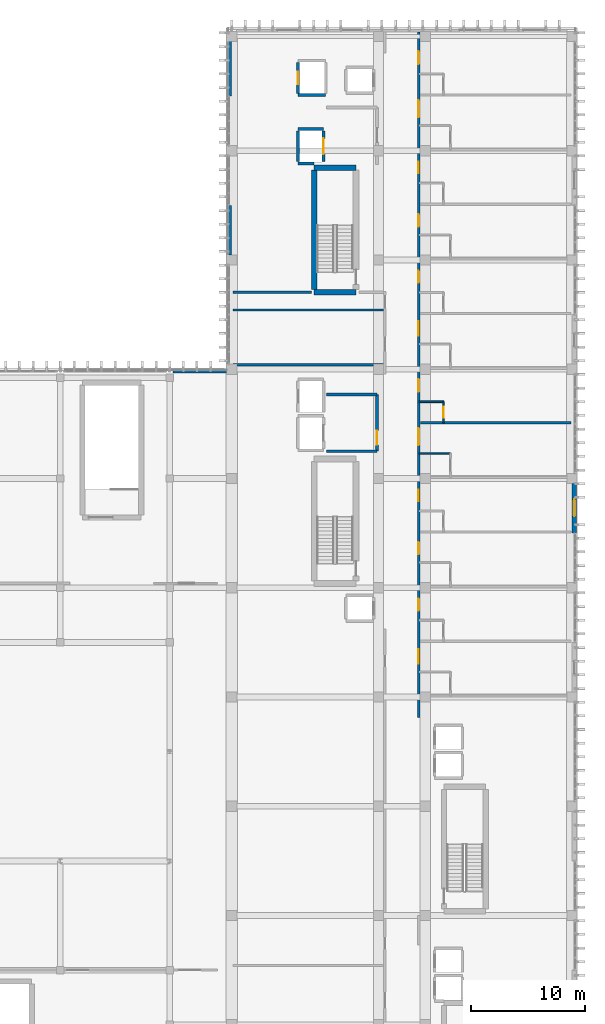
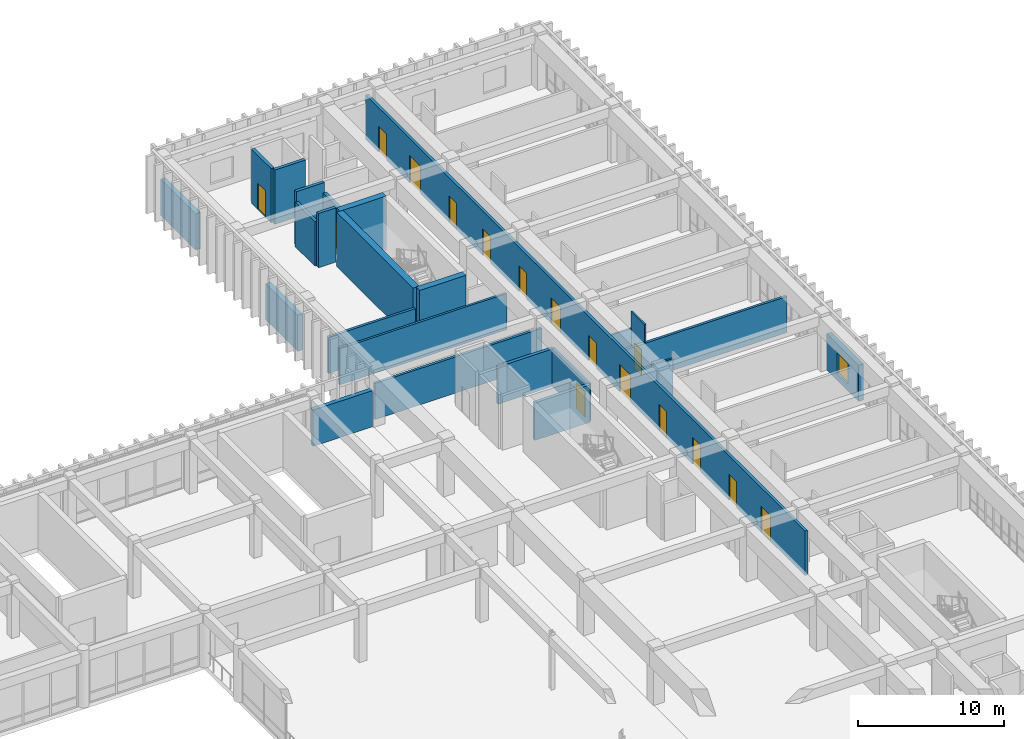
# One storey, part 80 of 101: 24 walls, 16 doors, 1 window, 17 openings.
"""IFC4 building model written with IfcOpenShell, lengths in metres."""

from ifc_helpers import new_model, si_unit, direction, frame, frame_2d, origin, place, context, subcontext, project, spatial, rectangle, extrude, material, layer, layer_set, type_object, element, fill, save


model = new_model("IFC4")

# Units and contexts
model_context = context("Model", 3, precision=1e-05, world=origin(), true_north=direction((0.0, 1.0)))
body_context = subcontext(model_context, "Body", "Model", "MODEL_VIEW")
ifc_project = project(units=[si_unit("LENGTHUNIT", "METRE"), si_unit("AREAUNIT", "SQUARE_METRE"), si_unit("VOLUMEUNIT", "CUBIC_METRE"), si_unit("PLANEANGLEUNIT", "RADIAN"), si_unit("MASSUNIT", "GRAM", prefix="KILO")], contexts=[model_context])

# Site, building, storey
site_placement = place(None, origin())
site = spatial("IfcSite", under=ifc_project, at=site_placement, CompositionType="ELEMENT")
building_placement = place(site_placement, origin())
building = spatial("IfcBuilding", under=site, at=building_placement, Name="Nakhvara Creek Congress Hotel", CompositionType="ELEMENT")
storey_placement = place(building_placement, frame((0.0, 0.0, 16.199951171875)))
storey = spatial("IfcBuildingStorey", under=building, at=storey_placement, Name="L03", CompositionType="ELEMENT", Elevation=16.199951171875)

# Walls
ifc_material_1 = material(Name="Concrete C50/60", Category="concrete")
ifc_layer_1 = layer(ifc_material_1, 0.5)
ifc_layer_set_1 = layer_set([ifc_layer_1], Name="Concrete C50/60")
wall_type_1 = type_object("IfcWallType", Name="W-CORE-500", PredefinedType="SHEAR", material=ifc_layer_set_1)
for number, where, z_axis, x_axis, name in (
    (1, (156.699951171875, 102.780029296875, 0.0), (0.0, 0.0, 1.0), (1.0, 0.0, 0.0), "Core Shear Wall WS01-CWALL-L03-0358"),
    (2, (156.699951171875, 113.719970703125, 0.0), (0.0, 0.0, 1.0), (1.0, 0.0, 0.0), "Core Shear Wall WS01-CWALL-L03-0359"),
):
    element("IfcWall", number, at=place(storey_placement, frame(where, z_axis=z_axis, x_axis=x_axis)), inside=storey, type_object=wall_type_1, Name=name, PredefinedType="SHEAR", context=body_context, shape_type="SweptSolid", body=[
        extrude(rectangle(XDim=3.670166015625, YDim=0.5, at=frame_2d((1.8349609375, 0.0))), origin(), (0.0, 0.0, 1.0), 4.5400390625),
    ])
wall_1_placement = place(storey_placement, frame((156.699951171875, 103.0, 0.0), z_axis=(0.0, 0.0, 1.0), x_axis=(0.0, 1.0, 0.0)))
element("IfcWall", 3, at=wall_1_placement, inside=storey, type_object=wall_type_1, Name="Core Shear Wall WS01-CWALL-L03-0360", PredefinedType="SHEAR", context=body_context, shape_type="SweptSolid", body=[
    extrude(rectangle(XDim=10.5, YDim=0.5, at=frame_2d((5.25, 0.0))), origin(), (0.0, 0.0, 1.0), 4.5400390625),
])

# Wall, openings, doors
ifc_material_2 = material(Name="Gypsum acoustic board on steel stud", Category="steel")
ifc_layer_2 = layer(ifc_material_2, 0.219970703125)
ifc_layer_set_2 = layer_set([ifc_layer_2], Name="Gypsum acoustic board on steel stud")
wall_type_2 = type_object("IfcWallType", Name="W-CORR-220", PredefinedType="PARTITIONING", material=ifc_layer_set_2)
wall_2_placement = place(storey_placement, frame((165.8798828125, 65.39990234375, 0.0), z_axis=(0.0, 0.0, 1.0), x_axis=(0.0, 1.0, 0.0)))
wall_2 = element("IfcWall", 4, at=wall_2_placement, inside=storey, type_object=wall_type_2, Name="Interior Wall WP11-IW-L03-0214", PredefinedType="PARTITIONING", context=body_context, shape_type="SweptSolid", body=[
    extrude(rectangle(XDim=60.25, YDim=0.219970703125, at=frame_2d((30.125, 0.0))), origin(), (0.0, 0.0, 1.0), 3.73193359375),
])
opening_1_placement = place(wall_2_placement, frame((4.738037109375, 0.0, 0.0)))
opening_1 = element("IfcOpeningElement", 5, at=opening_1_placement, cuts=wall_2, Name="Opening ID07", PredefinedType="OPENING", context=body_context, shape_type="SweptSolid", body=[
    extrude(rectangle(XDim=1.280029296875, YDim=2.159912109375, at=frame_2d((0.64013671875, 1.080078125))), frame((0.0, 0.1220703125, 0.0), z_axis=(0.0, -1.0, 0.0), x_axis=(1.0, 0.0, 0.0)), (0.0, 0.0, 1.0), 0.243896484375),
])
opening_2_placement = place(wall_2_placement, frame((9.405029296875, 0.0, 0.0)))
opening_2 = element("IfcOpeningElement", 6, at=opening_2_placement, cuts=wall_2, Name="Opening ID04", PredefinedType="OPENING", context=body_context, shape_type="SweptSolid", body=[
    extrude(rectangle(XDim=1.050048828125, YDim=2.179931640625, at=frame_2d((0.52490234375, 1.08984375))), frame((0.0, 0.1220703125, 0.0), z_axis=(0.0, -1.0, 0.0), x_axis=(1.0, 0.0, 0.0)), (0.0, 0.0, 1.0), 0.243896484375),
])
opening_3_placement = place(wall_2_placement, frame((14.337890625, 0.0, 0.0)))
opening_3 = element("IfcOpeningElement", 7, at=opening_3_placement, cuts=wall_2, Name="Opening GD02", PredefinedType="OPENING", context=body_context, shape_type="SweptSolid", body=[
    extrude(rectangle(XDim=1.080078125, YDim=2.25, at=frame_2d((0.5400390625, 1.125))), frame((0.0, 0.1220703125, 0.0), z_axis=(0.0, -1.0, 0.0), x_axis=(1.0, 0.0, 0.0)), (0.0, 0.0, 1.0), 0.243896484375),
])
opening_4_placement = place(wall_2_placement, frame((19.0048828125, 0.0, 0.0)))
opening_4 = element("IfcOpeningElement", 8, at=opening_4_placement, cuts=wall_2, Name="Opening GD01", PredefinedType="OPENING", context=body_context, shape_type="SweptSolid", body=[
    extrude(rectangle(XDim=1.02001953125, YDim=2.199951171875, at=frame_2d((0.510009765625, 1.10009765625))), frame((0.0, 0.1220703125, 0.0), z_axis=(0.0, -1.0, 0.0), x_axis=(1.0, 0.0, 0.0)), (0.0, 0.0, 1.0), 0.243896484375),
])
opening_5_placement = place(wall_2_placement, frame((23.93798828125, 0.0, 0.0)))
opening_5 = element("IfcOpeningElement", 9, at=opening_5_placement, cuts=wall_2, Name="Opening GD03", PredefinedType="OPENING", context=body_context, shape_type="SweptSolid", body=[
    extrude(rectangle(XDim=1.5, YDim=2.300048828125, at=frame_2d((0.75, 1.14990234375))), frame((0.0, 0.1220703125, 0.0), z_axis=(0.0, -1.0, 0.0), x_axis=(1.0, 0.0, 0.0)), (0.0, 0.0, 1.0), 0.243896484375),
])
opening_6_placement = place(wall_2_placement, frame((28.60498046875, 0.0, 0.0)))
opening_6 = element("IfcOpeningElement", 10, at=opening_6_placement, cuts=wall_2, Name="Opening BD01", PredefinedType="OPENING", context=body_context, shape_type="SweptSolid", body=[
    extrude(rectangle(XDim=1.1201171875, YDim=2.14990234375, at=frame_2d((0.56005859375, 1.074951171875))), frame((0.0, 0.1220703125, 0.0), z_axis=(0.0, -1.0, 0.0), x_axis=(1.0, 0.0, 0.0)), (0.0, 0.0, 1.0), 0.243896484375),
])
opening_7_placement = place(wall_2_placement, frame((33.5380859375, 0.0, 0.0)))
opening_7 = element("IfcOpeningElement", 11, at=opening_7_placement, cuts=wall_2, Name="Opening ID07", PredefinedType="OPENING", context=body_context, shape_type="SweptSolid", body=[
    extrude(rectangle(XDim=1.280029296875, YDim=2.159912109375, at=frame_2d((0.64013671875, 1.080078125))), frame((0.0, 0.1220703125, 0.0), z_axis=(0.0, -1.0, 0.0), x_axis=(1.0, 0.0, 0.0)), (0.0, 0.0, 1.0), 0.243896484375),
])
opening_8_placement = place(wall_2_placement, frame((38.205078125, 0.0, 0.0)))
opening_8 = element("IfcOpeningElement", 12, at=opening_8_placement, cuts=wall_2, Name="Opening ID04", PredefinedType="OPENING", context=body_context, shape_type="SweptSolid", body=[
    extrude(rectangle(XDim=1.050048828125, YDim=2.179931640625, at=frame_2d((0.52490234375, 1.08984375))), frame((0.0, 0.1220703125, 0.0), z_axis=(0.0, -1.0, 0.0), x_axis=(1.0, 0.0, 0.0)), (0.0, 0.0, 1.0), 0.243896484375),
])
opening_9_placement = place(wall_2_placement, frame((43.137939453125, 0.0, 0.0)))
opening_9 = element("IfcOpeningElement", 13, at=opening_9_placement, cuts=wall_2, Name="Opening GD02", PredefinedType="OPENING", context=body_context, shape_type="SweptSolid", body=[
    extrude(rectangle(XDim=1.080078125, YDim=2.25, at=frame_2d((0.5400390625, 1.125))), frame((0.0, 0.1220703125, 0.0), z_axis=(0.0, -1.0, 0.0), x_axis=(1.0, 0.0, 0.0)), (0.0, 0.0, 1.0), 0.243896484375),
])
opening_10_placement = place(wall_2_placement, frame((47.804931640625, 0.0, 0.0)))
opening_10 = element("IfcOpeningElement", 14, at=opening_10_placement, cuts=wall_2, Name="Opening GD01", PredefinedType="OPENING", context=body_context, shape_type="SweptSolid", body=[
    extrude(rectangle(XDim=1.02001953125, YDim=2.199951171875, at=frame_2d((0.510009765625, 1.10009765625))), frame((0.0, 0.1220703125, 0.0), z_axis=(0.0, -1.0, 0.0), x_axis=(1.0, 0.0, 0.0)), (0.0, 0.0, 1.0), 0.243896484375),
])
opening_11_placement = place(wall_2_placement, frame((52.738037109375, 0.0, 0.0)))
opening_11 = element("IfcOpeningElement", 15, at=opening_11_placement, cuts=wall_2, Name="Opening GD03", PredefinedType="OPENING", context=body_context, shape_type="SweptSolid", body=[
    extrude(rectangle(XDim=1.5, YDim=2.300048828125, at=frame_2d((0.75, 1.14990234375))), frame((0.0, 0.1220703125, 0.0), z_axis=(0.0, -1.0, 0.0), x_axis=(1.0, 0.0, 0.0)), (0.0, 0.0, 1.0), 0.243896484375),
])
opening_12_placement = place(wall_2_placement, frame((57.405029296875, 0.0, 0.0)))
opening_12 = element("IfcOpeningElement", 16, at=opening_12_placement, cuts=wall_2, Name="Opening BD01", PredefinedType="OPENING", context=body_context, shape_type="SweptSolid", body=[
    extrude(rectangle(XDim=1.1201171875, YDim=2.14990234375, at=frame_2d((0.56005859375, 1.074951171875))), frame((0.0, 0.1220703125, 0.0), z_axis=(0.0, -1.0, 0.0), x_axis=(1.0, 0.0, 0.0)), (0.0, 0.0, 1.0), 0.243896484375),
])
ifc_material_3 = material(Name="Brushed stainless-clad BOH door")
door_type_1 = type_object("IfcDoorType", Name="DT-BOH-128", OperationType="NOTDEFINED", PredefinedType="DOOR", material=ifc_material_3)
door_1_placement = place(opening_1_placement, origin())
door_1 = element("IfcDoor", 17, at=door_1_placement, inside=storey, type_object=door_type_1, Name="Interior Door ID07-0228", OperationType="SINGLE_SWING_LEFT", OverallHeight=2.159912109375, OverallWidth=1.280029296875, PredefinedType="DOOR", context=body_context, shape_type="SweptSolid", body=[
    extrude(rectangle(XDim=1.280029296875, YDim=2.159912109375, at=frame_2d((0.64013671875, 1.080078125))), frame((0.0, 0.02490234375, 0.0), z_axis=(0.0, -1.0, 0.0), x_axis=(1.0, 0.0, 0.0)), (0.0, 0.0, 1.0), 0.050048828125),
])
fill(opening_1, door_1)
door_2_placement = place(opening_7_placement, origin())
door_2 = element("IfcDoor", 18, at=door_2_placement, inside=storey, type_object=door_type_1, Name="Interior Door ID07-0240", OperationType="SINGLE_SWING_LEFT", OverallHeight=2.159912109375, OverallWidth=1.280029296875, PredefinedType="DOOR", context=body_context, shape_type="SweptSolid", body=[
    extrude(rectangle(XDim=1.280029296875, YDim=2.159912109375, at=frame_2d((0.64013671875, 1.080078125))), frame((0.0, 0.02490234375, 0.0), z_axis=(0.0, -1.0, 0.0), x_axis=(1.0, 0.0, 0.0)), (0.0, 0.0, 1.0), 0.050048828125),
])
fill(opening_7, door_2)
ifc_material_4 = material(Name="Walnut hardwood timber fire door", Category="wood")
door_type_2 = type_object("IfcDoorType", Name="DT-GUEST-102", OperationType="NOTDEFINED", PredefinedType="DOOR", material=ifc_material_4)
door_3_placement = place(opening_4_placement, origin())
door_3 = element("IfcDoor", 19, at=door_3_placement, inside=storey, type_object=door_type_2, Name="Interior Door GD01-0234", OperationType="SINGLE_SWING_LEFT", OverallHeight=2.199951171875, OverallWidth=1.02001953125, PredefinedType="DOOR", context=body_context, shape_type="SweptSolid", body=[
    extrude(rectangle(XDim=1.02001953125, YDim=2.199951171875, at=frame_2d((0.510009765625, 1.10009765625))), frame((0.0, 0.02490234375, 0.0), z_axis=(0.0, -1.0, 0.0), x_axis=(1.0, 0.0, 0.0)), (0.0, 0.0, 1.0), 0.050048828125),
])
fill(opening_4, door_3)
door_4_placement = place(opening_10_placement, origin())
door_4 = element("IfcDoor", 20, at=door_4_placement, inside=storey, type_object=door_type_2, Name="Interior Door GD01-0246", OperationType="SINGLE_SWING_LEFT", OverallHeight=2.199951171875, OverallWidth=1.02001953125, PredefinedType="DOOR", context=body_context, shape_type="SweptSolid", body=[
    extrude(rectangle(XDim=1.02001953125, YDim=2.199951171875, at=frame_2d((0.510009765625, 1.10009765625))), frame((0.0, 0.02490234375, 0.0), z_axis=(0.0, -1.0, 0.0), x_axis=(1.0, 0.0, 0.0)), (0.0, 0.0, 1.0), 0.050048828125),
])
fill(opening_10, door_4)
door_type_3 = type_object("IfcDoorType", Name="DT-GUEST-108", OperationType="NOTDEFINED", PredefinedType="DOOR", material=ifc_material_4)
door_5_placement = place(opening_3_placement, origin())
door_5 = element("IfcDoor", 21, at=door_5_placement, inside=storey, type_object=door_type_3, Name="Interior Door GD02-0232", OperationType="SINGLE_SWING_LEFT", OverallHeight=2.25, OverallWidth=1.080078125, PredefinedType="DOOR", context=body_context, shape_type="SweptSolid", body=[
    extrude(rectangle(XDim=1.080078125, YDim=2.25, at=frame_2d((0.5400390625, 1.125))), frame((0.0, 0.02490234375, 0.0), z_axis=(0.0, -1.0, 0.0), x_axis=(1.0, 0.0, 0.0)), (0.0, 0.0, 1.0), 0.050048828125),
])
fill(opening_3, door_5)
door_6_placement = place(opening_9_placement, origin())
door_6 = element("IfcDoor", 22, at=door_6_placement, inside=storey, type_object=door_type_3, Name="Interior Door GD02-0244", OperationType="SINGLE_SWING_LEFT", OverallHeight=2.25, OverallWidth=1.080078125, PredefinedType="DOOR", context=body_context, shape_type="SweptSolid", body=[
    extrude(rectangle(XDim=1.080078125, YDim=2.25, at=frame_2d((0.5400390625, 1.125))), frame((0.0, 0.02490234375, 0.0), z_axis=(0.0, -1.0, 0.0), x_axis=(1.0, 0.0, 0.0)), (0.0, 0.0, 1.0), 0.050048828125),
])
fill(opening_9, door_6)
ifc_material_5 = material(Name="Hardwood-faced service fire door", Category="wood")
door_type_4 = type_object("IfcDoorType", Name="DT-HK-112", OperationType="NOTDEFINED", PredefinedType="DOOR", material=ifc_material_5)
door_7_placement = place(opening_6_placement, origin())
door_7 = element("IfcDoor", 23, at=door_7_placement, inside=storey, type_object=door_type_4, Name="Interior Door BD01-0238", OperationType="SINGLE_SWING_LEFT", OverallHeight=2.14990234375, OverallWidth=1.1201171875, PredefinedType="DOOR", context=body_context, shape_type="SweptSolid", body=[
    extrude(rectangle(XDim=1.1201171875, YDim=2.14990234375, at=frame_2d((0.56005859375, 1.074951171875))), frame((0.0, 0.02490234375, 0.0), z_axis=(0.0, -1.0, 0.0), x_axis=(1.0, 0.0, 0.0)), (0.0, 0.0, 1.0), 0.050048828125),
])
fill(opening_6, door_7)
door_8_placement = place(opening_12_placement, origin())
door_8 = element("IfcDoor", 24, at=door_8_placement, inside=storey, type_object=door_type_4, Name="Interior Door BD01-0250", OperationType="SINGLE_SWING_LEFT", OverallHeight=2.14990234375, OverallWidth=1.1201171875, PredefinedType="DOOR", context=body_context, shape_type="SweptSolid", body=[
    extrude(rectangle(XDim=1.1201171875, YDim=2.14990234375, at=frame_2d((0.56005859375, 1.074951171875))), frame((0.0, 0.02490234375, 0.0), z_axis=(0.0, -1.0, 0.0), x_axis=(1.0, 0.0, 0.0)), (0.0, 0.0, 1.0), 0.050048828125),
])
fill(opening_12, door_8)
ifc_material_6 = material(Name="Teak timber & frosted glass spa door", Category="wood")
door_type_5 = type_object("IfcDoorType", Name="DT-SPA-105", OperationType="NOTDEFINED", PredefinedType="DOOR", material=ifc_material_6)
door_9_placement = place(opening_2_placement, origin())
door_9 = element("IfcDoor", 25, at=door_9_placement, inside=storey, type_object=door_type_5, Name="Interior Door ID04-0230", OperationType="SINGLE_SWING_LEFT", OverallHeight=2.179931640625, OverallWidth=1.050048828125, PredefinedType="DOOR", context=body_context, shape_type="SweptSolid", body=[
    extrude(rectangle(XDim=1.050048828125, YDim=2.179931640625, at=frame_2d((0.52490234375, 1.08984375))), frame((0.0, 0.02490234375, 0.0), z_axis=(0.0, -1.0, 0.0), x_axis=(1.0, 0.0, 0.0)), (0.0, 0.0, 1.0), 0.050048828125),
])
fill(opening_2, door_9)
door_10_placement = place(opening_8_placement, origin())
door_10 = element("IfcDoor", 26, at=door_10_placement, inside=storey, type_object=door_type_5, Name="Interior Door ID04-0242", OperationType="SINGLE_SWING_LEFT", OverallHeight=2.179931640625, OverallWidth=1.050048828125, PredefinedType="DOOR", context=body_context, shape_type="SweptSolid", body=[
    extrude(rectangle(XDim=1.050048828125, YDim=2.179931640625, at=frame_2d((0.52490234375, 1.08984375))), frame((0.0, 0.02490234375, 0.0), z_axis=(0.0, -1.0, 0.0), x_axis=(1.0, 0.0, 0.0)), (0.0, 0.0, 1.0), 0.050048828125),
])
fill(opening_8, door_10)
ifc_material_7 = material(Name="Walnut hardwood double fire door", Category="wood")
door_type_6 = type_object("IfcDoorType", Name="DT-SUITE-150", OperationType="DOUBLE_DOOR_SINGLE_SWING", PredefinedType="DOOR", material=ifc_material_7)
door_11_placement = place(opening_5_placement, origin())
door_11 = element("IfcDoor", 27, at=door_11_placement, inside=storey, type_object=door_type_6, Name="Interior Door GD03-0236", OperationType="DOUBLE_DOOR_SINGLE_SWING", OverallHeight=2.300048828125, OverallWidth=1.5, PredefinedType="DOOR", context=body_context, shape_type="SweptSolid", body=[
    extrude(rectangle(XDim=1.5, YDim=2.300048828125, at=frame_2d((0.75, 1.14990234375))), frame((0.0, 0.02490234375, 0.0), z_axis=(0.0, -1.0, 0.0), x_axis=(1.0, 0.0, 0.0)), (0.0, 0.0, 1.0), 0.050048828125),
])
fill(opening_5, door_11)
door_12_placement = place(opening_11_placement, origin())
door_12 = element("IfcDoor", 28, at=door_12_placement, inside=storey, type_object=door_type_6, Name="Interior Door GD03-0248", OperationType="DOUBLE_DOOR_SINGLE_SWING", OverallHeight=2.300048828125, OverallWidth=1.5, PredefinedType="DOOR", context=body_context, shape_type="SweptSolid", body=[
    extrude(rectangle(XDim=1.5, YDim=2.300048828125, at=frame_2d((0.75, 1.14990234375))), frame((0.0, 0.02490234375, 0.0), z_axis=(0.0, -1.0, 0.0), x_axis=(1.0, 0.0, 0.0)), (0.0, 0.0, 1.0), 0.050048828125),
])
fill(opening_11, door_12)

# Wall
ifc_material_8 = material(Name="Moisture-resistant gypsum board partition")
ifc_layer_3 = layer(ifc_material_8, 0.139892578125)
ifc_layer_set_3 = layer_set([ifc_layer_3], Name="Moisture-resistant gypsum board partition")
wall_type_3 = type_object("IfcWallType", Name="W-ENS-140", PredefinedType="PARTITIONING", material=ifc_layer_set_3)
wall_3_placement = place(storey_placement, frame((165.919921875, 88.615966796875, 0.0), z_axis=(0.0, 0.0, 1.0), x_axis=(1.0, 0.0, 0.0)))
element("IfcWall", 29, at=wall_3_placement, inside=storey, type_object=wall_type_3, Name="Interior Wall WP15-IW-L03-0263", PredefinedType="PARTITIONING", context=body_context, shape_type="SweptSolid", body=[
    extrude(rectangle(XDim=2.75, YDim=0.139892578125, at=frame_2d((1.375, 0.0))), origin(), (0.0, 0.0, 1.0), 3.132080078125),
])

# Wall, opening, door
wall_4_placement = place(storey_placement, frame((168.070068359375, 91.300048828125, 0.0), z_axis=(0.0, 0.0, 1.0), x_axis=(0.0, 1.0, 0.0)))
wall_4 = element("IfcWall", 30, at=wall_4_placement, inside=storey, type_object=wall_type_3, Name="Interior Wall WP15-IW-L03-0265", PredefinedType="PARTITIONING", context=body_context, shape_type="SweptSolid", body=[
    extrude(rectangle(XDim=1.849853515625, YDim=0.139892578125, at=frame_2d((0.9248046875, 0.0))), origin(), (0.0, 0.0, 1.0), 4.5400390625),
])
opening_13_placement = place(wall_4_placement, frame((0.449951171875, 0.0, 0.0)))
opening_13 = element("IfcOpeningElement", 31, at=opening_13_placement, cuts=wall_4, Name="Opening ID02", PredefinedType="OPENING", context=body_context, shape_type="SweptSolid", body=[
    extrude(rectangle(XDim=0.9599609375, YDim=2.1201171875, at=frame_2d((0.47998046875, 1.06005859375))), frame((0.0, 0.08203125, 0.0), z_axis=(0.0, -1.0, 0.0), x_axis=(1.0, 0.0, 0.0)), (0.0, 0.0, 1.0), 0.163818359375),
])
ifc_material_9 = material(Name="Moisture-resistant walnut timber door", Category="wood")
door_type_7 = type_object("IfcDoorType", Name="DT-ENS-096", OperationType="NOTDEFINED", PredefinedType="DOOR", material=ifc_material_9)
door_13_placement = place(opening_13_placement, frame((0.9599609375, 0.0, 0.0), z_axis=(0.0, 0.0, 1.0), x_axis=(-1.0, 0.0, 0.0)))
door_13 = element("IfcDoor", 32, at=door_13_placement, inside=storey, type_object=door_type_7, Name="Interior Door ID02-0239", OperationType="SINGLE_SWING_RIGHT", OverallHeight=2.1201171875, OverallWidth=0.9599609375, PredefinedType="DOOR", context=body_context, shape_type="SweptSolid", body=[
    extrude(rectangle(XDim=0.9599609375, YDim=2.1201171875, at=frame_2d((0.47998046875, 1.06005859375))), frame((0.0, 0.02490234375, 0.0), z_axis=(0.0, -1.0, 0.0), x_axis=(1.0, 0.0, 0.0)), (0.0, 0.0, 1.0), 0.050048828125),
])
fill(opening_13, door_13)

# Walls
wall_5_placement = place(storey_placement, frame((165.919921875, 93.14990234375, 0.0), z_axis=(0.0, 0.0, 1.0), x_axis=(1.0, 0.0, 0.0)))
element("IfcWall", 33, at=wall_5_placement, inside=storey, type_object=wall_type_3, Name="Interior Wall WP15-IW-L03-0266", PredefinedType="PARTITIONING", context=body_context, shape_type="SweptSolid", body=[
    extrude(rectangle(XDim=2.150146484375, YDim=0.139892578125, at=frame_2d((1.0751953125, 0.0))), origin(), (0.0, 0.0, 1.0), 3.132080078125),
])
ifc_material_10 = material(Name="Architectural GRC panel")
ifc_layer_4 = layer(ifc_material_10, 0.0400390625)
ifc_material_11 = material(Name="Mineral wool thermal insulation")
ifc_layer_5 = layer(ifc_material_11, 0.10009765625)
ifc_material_12 = material(Name="Precast concrete C40/50", Category="concrete")
ifc_layer_6 = layer(ifc_material_12, 0.199951171875)
ifc_layer_set_4 = layer_set([ifc_layer_4, ifc_layer_5, ifc_layer_6], Name="Precast concrete C40/50")
wall_type_4 = type_object("IfcWallType", Name="W-EXT-340", PredefinedType="SOLIDWALL", material=ifc_layer_set_4)
wall_6_placement = place(storey_placement, frame((144.300048828125, 95.830078125, 0.0), z_axis=(0.0, 0.0, 1.0), x_axis=(1.0, 0.0, 0.0)))
element("IfcWall", 34, at=wall_6_placement, inside=storey, type_object=wall_type_4, Name="Exterior Wall WE04-EW-L03-0091", PredefinedType="SOLIDWALL", context=body_context, shape_type="SweptSolid", body=[
    extrude(rectangle(XDim=4.724853515625, YDim=0.340087890625, at=frame_2d((2.3623046875, 0.0))), origin(), (0.0, 0.0, 1.0), 3.031982421875),
])

# Wall, opening, window
ifc_material_13 = material(Name="Honed pale Omani limestone cladding", Category="masonry")
ifc_layer_7 = layer(ifc_material_13, 0.050048828125)
ifc_layer_8 = layer(ifc_material_11, 0.110107421875)
ifc_layer_9 = layer(ifc_material_12, 0.219970703125)
ifc_layer_set_5 = layer_set([ifc_layer_7, ifc_layer_8, ifc_layer_9], Name="Precast concrete C40/50")
wall_type_5 = type_object("IfcWallType", Name="W-EXT-380", PredefinedType="SOLIDWALL", material=ifc_layer_set_5)
wall_7_placement = place(storey_placement, frame((179.56005859375, 85.97509765625, 0.0), z_axis=(0.0, 0.0, 1.0), x_axis=(0.0, -1.0, 0.0)))
wall_7 = element("IfcWall", 35, at=wall_7_placement, inside=storey, type_object=wall_type_5, Name="Exterior Wall WE03-EW-L03-0126", PredefinedType="SOLIDWALL", context=body_context, shape_type="SweptSolid", body=[
    extrude(rectangle(XDim=4.375, YDim=0.3798828125, at=frame_2d((2.1875, 0.0))), origin(), (0.0, 0.0, 1.0), 3.031982421875),
])
opening_14_placement = place(wall_7_placement, frame((1.402587890625, 0.0, 0.550048828125)))
opening_14 = element("IfcOpeningElement", 36, at=opening_14_placement, cuts=wall_7, Name="Opening WN0136", PredefinedType="OPENING", context=body_context, shape_type="SweptSolid", body=[
    extrude(rectangle(XDim=1.5, YDim=1.739990234375, at=frame_2d((0.75, 0.8701171875))), frame((0.0, 0.201904296875, 0.0), z_axis=(0.0, -1.0, 0.0), x_axis=(1.0, 0.0, 0.0)), (0.0, 0.0, 1.0), 0.40380859375),
])
ifc_material_14 = material(Name="Thermally broken bronze-anodised aluminium and double-silver low-E insulated glass", Category="aluminium")
window_type = type_object("IfcWindowType", Name="WN-LAN-150X220", PartitioningType="SINGLE_PANEL", PredefinedType="WINDOW", material=ifc_material_14)
window_placement = place(opening_14_placement, origin())
window = element("IfcWindow", 37, at=window_placement, inside=storey, type_object=window_type, Name="Facade Window WN0136", OverallHeight=1.739990234375, OverallWidth=1.5, PartitioningType="SINGLE_PANEL", PredefinedType="WINDOW", context=body_context, shape_type="SweptSolid", body=[
    extrude(rectangle(XDim=1.5, YDim=1.739990234375, at=frame_2d((0.75, 0.8701171875))), frame((0.0, 0.030029296875, 0.0), z_axis=(0.0, -1.0, 0.0), x_axis=(1.0, 0.0, 0.0)), (0.0, 0.0, 1.0), 0.06005859375),
])
fill(opening_14, window)

# Walls
wall_8_placement = place(storey_placement, frame((149.239990234375, 106.02490234375, 0.0), z_axis=(0.0, 0.0, 1.0), x_axis=(0.0, 1.0, 0.0)))
element("IfcWall", 38, at=wall_8_placement, inside=storey, type_object=wall_type_5, Name="Exterior Wall WE03-EW-L03-0128", PredefinedType="SOLIDWALL", context=body_context, shape_type="SweptSolid", body=[
    extrude(rectangle(XDim=4.375, YDim=0.3798828125, at=frame_2d((2.1875, 0.0))), origin(), (0.0, 0.0, 1.0), 3.031982421875),
])
wall_9_placement = place(storey_placement, frame((149.239990234375, 120.0, 0.0), z_axis=(0.0, 0.0, 1.0), x_axis=(0.0, 1.0, 0.0)))
element("IfcWall", 39, at=wall_9_placement, inside=storey, type_object=wall_type_5, Name="Exterior Wall WE03-EW-L03-0130", PredefinedType="SOLIDWALL", context=body_context, shape_type="SweptSolid", body=[
    extrude(rectangle(XDim=4.824951171875, YDim=0.3798828125, at=frame_2d((2.41259765625, 0.0))), origin(), (0.0, 0.0, 1.0), 3.031982421875),
])

# Wall, opening, door
ifc_material_15 = material(Name="Concrete C40/50", Category="concrete")
ifc_layer_10 = layer(ifc_material_15, 0.260009765625)
ifc_layer_set_6 = layer_set([ifc_layer_10], Name="Concrete C40/50")
wall_type_6 = type_object("IfcWallType", Name="W-FFL-260", PredefinedType="SOLIDWALL", material=ifc_layer_set_6)
wall_10_placement = place(storey_placement, frame((162.199951171875, 88.800048828125, 0.0), z_axis=(0.0, 0.0, 1.0), x_axis=(0.0, 1.0, 0.0)))
wall_10 = element("IfcWall", 40, at=wall_10_placement, inside=storey, type_object=wall_type_6, Name="Core Shear Wall WI03-CWALL-L03-0106", PredefinedType="SOLIDWALL", context=body_context, shape_type="SweptSolid", body=[
    extrude(rectangle(XDim=5.0, YDim=0.260009765625, at=frame_2d((2.5, 0.0))), origin(), (0.0, 0.0, 1.0), 3.132080078125),
])
opening_15_placement = place(wall_10_placement, frame((0.550048828125, 0.0, 0.0)))
opening_15 = element("IfcOpeningElement", 41, at=opening_15_placement, cuts=wall_10, Name="Opening FD05", PredefinedType="OPENING", context=body_context, shape_type="SweptSolid", body=[
    extrude(rectangle(XDim=1.25, YDim=2.14990234375, at=frame_2d((0.625, 1.074951171875))), frame((0.0, 0.14208984375, 0.0), z_axis=(0.0, -1.0, 0.0), x_axis=(1.0, 0.0, 0.0)), (0.0, 0.0, 1.0), 0.283935546875),
])
ifc_material_16 = material(Name="Hardwood-veneered steel fire door", Category="steel")
door_type_8 = type_object("IfcDoorType", Name="DT-FFL-125", OperationType="NOTDEFINED", PredefinedType="DOOR", material=ifc_material_16)
door_14_placement = place(opening_15_placement, origin())
door_14 = element("IfcDoor", 42, at=door_14_placement, inside=storey, type_object=door_type_8, Name="Firefighting Lobby Door C1-L03", OperationType="DOUBLE_DOOR_SINGLE_SWING", OverallHeight=2.14990234375, OverallWidth=1.25, PredefinedType="DOOR", context=body_context, shape_type="SweptSolid", body=[
    extrude(rectangle(XDim=1.25, YDim=2.14990234375, at=frame_2d((0.625, 1.074951171875))), frame((0.0, 0.02490234375, 0.0), z_axis=(0.0, -1.0, 0.0), x_axis=(1.0, 0.0, 0.0)), (0.0, 0.0, 1.0), 0.050048828125),
])
fill(opening_15, door_14)

# Walls
for number, where, z_axis, x_axis, name in (
    (43, (157.800048828125, 88.800048828125, 0.0), (0.0, 0.0, 1.0), (1.0, 0.0, 0.0), "Core Shear Wall WI03-CWALL-L03-0107"),
    (44, (157.800048828125, 93.800048828125, 0.0), (0.0, 0.0, 1.0), (1.0, 0.0, 0.0), "Core Shear Wall WI03-CWALL-L03-0108"),
):
    element("IfcWall", number, at=place(storey_placement, frame(where, z_axis=z_axis, x_axis=x_axis)), inside=storey, type_object=wall_type_6, Name=name, PredefinedType="SOLIDWALL", context=body_context, shape_type="SweptSolid", body=[
        extrude(rectangle(XDim=4.39990234375, YDim=0.260009765625, at=frame_2d((2.199951171875, 0.0))), origin(), (0.0, 0.0, 1.0), 3.132080078125),
    ])
ifc_layer_11 = layer(ifc_material_2, 0.179931640625)
ifc_layer_set_7 = layer_set([ifc_layer_11], Name="Gypsum acoustic board on steel stud")
wall_type_7 = type_object("IfcWallType", Name="W-MEET-180", PredefinedType="PARTITIONING", material=ifc_layer_set_7)
wall_11_placement = place(storey_placement, frame((149.550048828125, 101.199951171875, 0.0), z_axis=(0.0, 0.0, 1.0), x_axis=(1.0, 0.0, 0.0)))
element("IfcWall", 45, at=wall_11_placement, inside=storey, type_object=wall_type_7, Name="Interior Wall WP13-IW-L03-0230", PredefinedType="PARTITIONING", context=body_context, shape_type="SweptSolid", body=[
    extrude(rectangle(XDim=13.22998046875, YDim=0.179931640625, at=frame_2d((6.614990234375, 0.0))), origin(), (0.0, 0.0, 1.0), 3.031982421875),
])
ifc_layer_12 = layer(ifc_material_2, 0.199951171875)
ifc_layer_set_8 = layer_set([ifc_layer_12], Name="Gypsum acoustic board on steel stud")
wall_type_8 = type_object("IfcWallType", Name="W-PART-200", PredefinedType="PARTITIONING", material=ifc_layer_set_8)
wall_12_placement = place(storey_placement, frame((149.550048828125, 96.39990234375, 0.0), z_axis=(0.0, 0.0, 1.0), x_axis=(1.0, 0.0, 0.0)))
element("IfcWall", 46, at=wall_12_placement, inside=storey, type_object=wall_type_8, Name="Interior Wall WP12-IW-L03-0229", PredefinedType="PARTITIONING", context=body_context, shape_type="SweptSolid", body=[
    extrude(rectangle(XDim=13.22998046875, YDim=0.199951171875, at=frame_2d((6.614990234375, 0.0))), origin(), (0.0, 0.0, 1.0), 3.031982421875),
])
wall_13_placement = place(storey_placement, frame((149.550048828125, 102.780029296875, 0.0), z_axis=(0.0, 0.0, 1.0), x_axis=(1.0, 0.0, 0.0)))
element("IfcWall", 47, at=wall_13_placement, inside=storey, type_object=wall_type_8, Name="Interior Wall WP12-IW-L03-0231", PredefinedType="PARTITIONING", context=body_context, shape_type="SweptSolid", body=[
    extrude(rectangle(XDim=6.89990234375, YDim=0.199951171875, at=frame_2d((3.449951171875, 0.0))), origin(), (0.0, 0.0, 1.0), 3.031982421875),
])
wall_14_placement = place(storey_placement, frame((166.02001953125, 91.300048828125, 0.0), z_axis=(0.0, 0.0, 1.0), x_axis=(1.0, 0.0, 0.0)))
element("IfcWall", 48, at=wall_14_placement, inside=storey, type_object=wall_type_8, Name="Interior Wall WP12-IW-L03-0264", PredefinedType="PARTITIONING", context=body_context, shape_type="SweptSolid", body=[
    extrude(rectangle(XDim=13.22998046875, YDim=0.199951171875, at=frame_2d((6.614990234375, 0.0))), origin(), (0.0, 0.0, 1.0), 3.031982421875),
])
ifc_layer_13 = layer(ifc_material_15, 0.25)
ifc_layer_set_9 = layer_set([ifc_layer_13], Name="Concrete C40/50")
wall_type_9 = type_object("IfcWallType", Name="W-SHAFT-250", PredefinedType="SOLIDWALL", material=ifc_layer_set_9)
wall_15_placement = place(storey_placement, frame((155.2900390625, 114.090087890625, 0.0), z_axis=(0.0, 0.0, 1.0), x_axis=(1.0, 0.0, 0.0)))
element("IfcWall", 49, at=wall_15_placement, inside=storey, type_object=wall_type_9, Name="Core Shear Wall WI02-CWALL-L03-0362", PredefinedType="SOLIDWALL", context=body_context, shape_type="SweptSolid", body=[
    extrude(rectangle(XDim=1.39990234375, YDim=0.25, at=frame_2d((0.699951171875, 0.0))), origin(), (0.0, 0.0, 1.0), 4.5400390625),
])
wall_16_placement = place(storey_placement, frame((155.2900390625, 117.110107421875, 0.0), z_axis=(0.0, 0.0, 1.0), x_axis=(1.0, 0.0, 0.0)))
element("IfcWall", 50, at=wall_16_placement, inside=storey, type_object=wall_type_9, Name="Core Shear Wall WI02-CWALL-L03-0363", PredefinedType="SOLIDWALL", context=body_context, shape_type="SweptSolid", body=[
    extrude(rectangle(XDim=2.219970703125, YDim=0.25, at=frame_2d((1.10986328125, 0.0))), origin(), (0.0, 0.0, 1.0), 4.5400390625),
])
wall_17_placement = place(storey_placement, frame((155.2900390625, 114.25, 0.0), z_axis=(0.0, 0.0, 1.0), x_axis=(0.0, 1.0, 0.0)))
element("IfcWall", 51, at=wall_17_placement, inside=storey, type_object=wall_type_9, Name="Core Shear Wall WI02-CWALL-L03-0364", PredefinedType="SOLIDWALL", context=body_context, shape_type="SweptSolid", body=[
    extrude(rectangle(XDim=2.699951171875, YDim=0.25, at=frame_2d((1.35009765625, 0.0))), origin(), (0.0, 0.0, 1.0), 3.73193359375),
])

# Wall, opening, door
wall_18_placement = place(storey_placement, frame((157.510009765625, 114.25, 0.0), z_axis=(0.0, 0.0, 1.0), x_axis=(0.0, 1.0, 0.0)))
wall_18 = element("IfcWall", 52, at=wall_18_placement, inside=storey, type_object=wall_type_9, Name="Core Shear Wall WI02-CWALL-L03-0365", PredefinedType="SOLIDWALL", context=body_context, shape_type="SweptSolid", body=[
    extrude(rectangle(XDim=2.699951171875, YDim=0.25, at=frame_2d((1.35009765625, 0.0))), origin(), (0.0, 0.0, 1.0), 3.73193359375),
])
opening_16_placement = place(wall_18_placement, frame((0.64990234375, 0.0, 0.0)))
opening_16 = element("IfcOpeningElement", 53, at=opening_16_placement, cuts=wall_18, Name="Opening LD02", PredefinedType="OPENING", context=body_context, shape_type="SweptSolid", body=[
    extrude(rectangle(XDim=1.39990234375, YDim=2.300048828125, at=frame_2d((0.699951171875, 1.14990234375))), frame((0.0, 0.136962890625, 0.0), z_axis=(0.0, -1.0, 0.0), x_axis=(1.0, 0.0, 0.0)), (0.0, 0.0, 1.0), 0.27392578125),
])
ifc_material_17 = material(Name="Brushed stainless steel heavy goods landing door", Category="steel")
door_type_9 = type_object("IfcDoorType", Name="DT-LIFT-140", OperationType="DOUBLE_DOOR_SLIDING", PredefinedType="DOOR", material=ifc_material_17)
door_15_placement = place(opening_16_placement, origin())
door_15 = element("IfcDoor", 54, at=door_15_placement, inside=storey, type_object=door_type_9, Name="Landing Door FFL2-L03", OperationType="SLIDING_TO_LEFT", OverallHeight=2.300048828125, OverallWidth=1.39990234375, PredefinedType="DOOR", context=body_context, shape_type="SweptSolid", body=[
    extrude(rectangle(XDim=1.39990234375, YDim=2.300048828125, at=frame_2d((0.699951171875, 1.14990234375))), frame((0.0, 0.02490234375, 0.0), z_axis=(0.0, -1.0, 0.0), x_axis=(1.0, 0.0, 0.0)), (0.0, 0.0, 1.0), 0.050048828125),
])
fill(opening_16, door_15)

# Wall
wall_19_placement = place(storey_placement, frame((155.2900390625, 120.090087890625, 0.0), z_axis=(0.0, 0.0, 1.0), x_axis=(1.0, 0.0, 0.0)))
element("IfcWall", 55, at=wall_19_placement, inside=storey, type_object=wall_type_9, Name="Core Shear Wall WI02-CWALL-L03-0370", PredefinedType="SOLIDWALL", context=body_context, shape_type="SweptSolid", body=[
    extrude(rectangle(XDim=2.419921875, YDim=0.25, at=frame_2d((1.2099609375, 0.0))), origin(), (0.0, 0.0, 1.0), 4.5400390625),
])

# Wall, opening, door
wall_20_placement = place(storey_placement, frame((155.2900390625, 120.25, 0.0), z_axis=(0.0, 0.0, 1.0), x_axis=(0.0, 1.0, 0.0)))
wall_20 = element("IfcWall", 56, at=wall_20_placement, inside=storey, type_object=wall_type_9, Name="Core Shear Wall WI02-CWALL-L03-0372", PredefinedType="SOLIDWALL", context=body_context, shape_type="SweptSolid", body=[
    extrude(rectangle(XDim=2.699951171875, YDim=0.25, at=frame_2d((1.35009765625, 0.0))), origin(), (0.0, 0.0, 1.0), 4.5400390625),
])
opening_17_placement = place(wall_20_placement, frame((0.800048828125, 0.0, 0.0)))
opening_17 = element("IfcOpeningElement", 57, at=opening_17_placement, cuts=wall_20, Name="Opening LD01", PredefinedType="OPENING", context=body_context, shape_type="SweptSolid", body=[
    extrude(rectangle(XDim=1.10009765625, YDim=2.199951171875, at=frame_2d((0.550048828125, 1.10009765625))), frame((0.0, 0.136962890625, 0.0), z_axis=(0.0, -1.0, 0.0), x_axis=(1.0, 0.0, 0.0)), (0.0, 0.0, 1.0), 0.27392578125),
])
ifc_material_18 = material(Name="Brushed stainless steel sliding landing door", Category="steel")
door_type_10 = type_object("IfcDoorType", Name="DT-LIFT-110", OperationType="DOUBLE_DOOR_SLIDING", PredefinedType="DOOR", material=ifc_material_18)
door_16_placement = place(opening_17_placement, origin())
door_16 = element("IfcDoor", 58, at=door_16_placement, inside=storey, type_object=door_type_10, Name="Landing Door SL02-L03", OperationType="SLIDING_TO_LEFT", OverallHeight=2.199951171875, OverallWidth=1.10009765625, PredefinedType="DOOR", context=body_context, shape_type="SweptSolid", body=[
    extrude(rectangle(XDim=1.10009765625, YDim=2.199951171875, at=frame_2d((0.550048828125, 1.10009765625))), frame((0.0, 0.02490234375, 0.0), z_axis=(0.0, -1.0, 0.0), x_axis=(1.0, 0.0, 0.0)), (0.0, 0.0, 1.0), 0.050048828125),
])
fill(opening_17, door_16)

save(model, "model.ifc")
